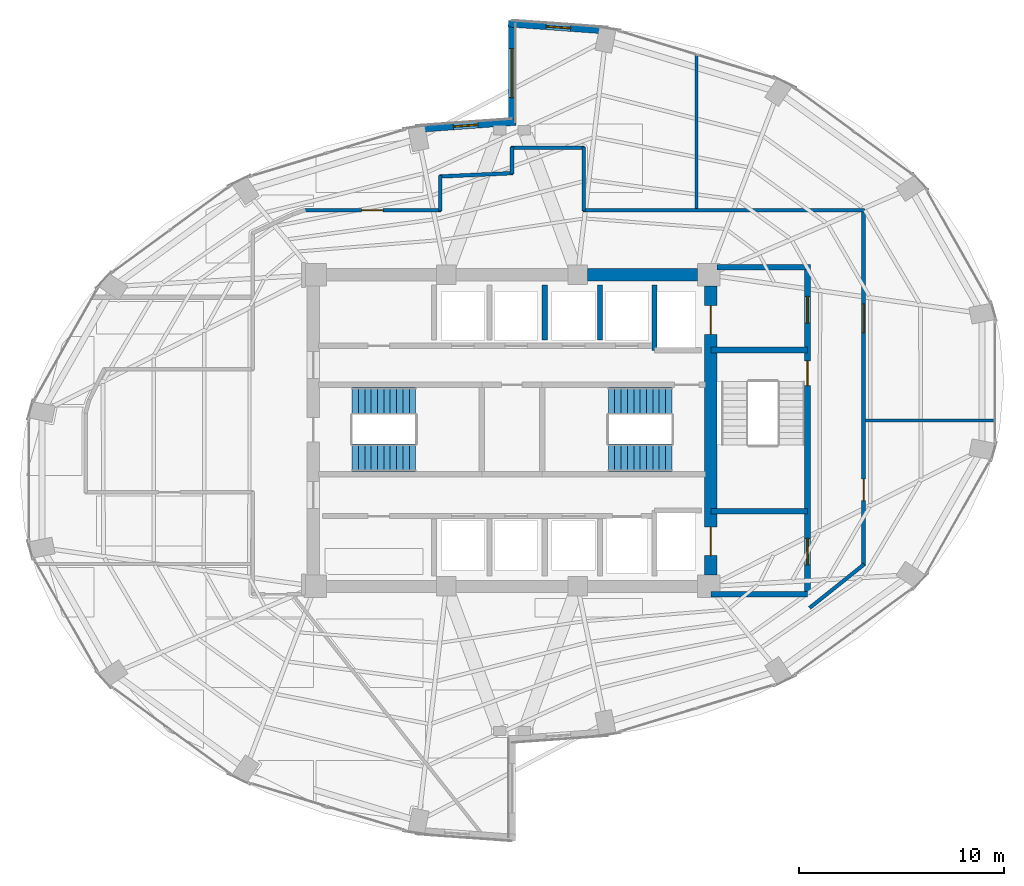
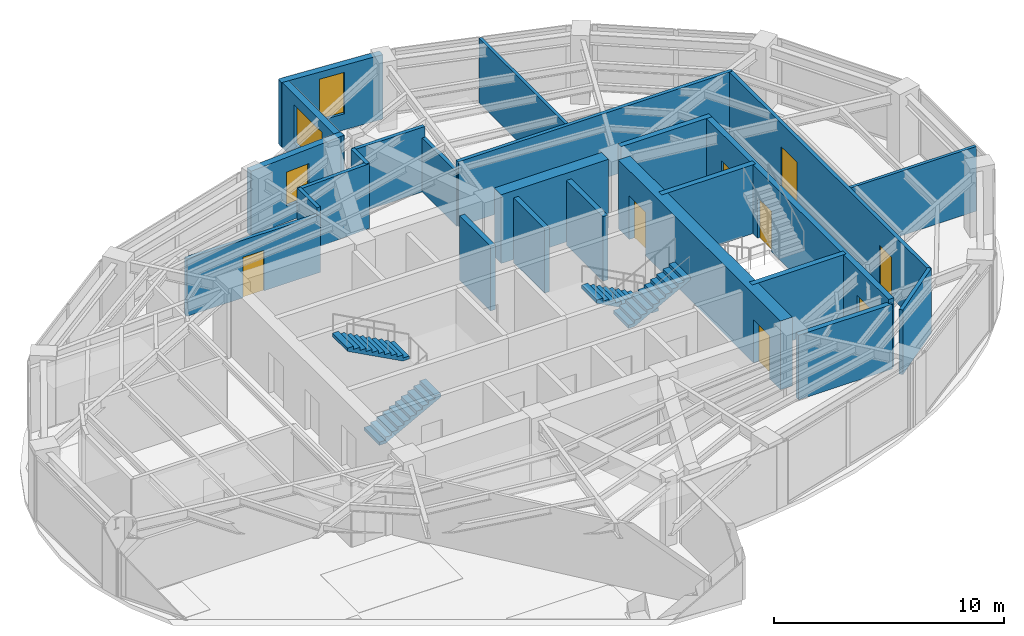
# One storey, part 17 of 20: 24 walls, 8 doors, 4 stair flights, 3 windows, 11 openings, 2 elements without a shape of their own.
"""IFC4 building model written with IfcOpenShell, lengths in metres."""

from ifc_helpers import new_model, si_unit, direction, frame, frame_2d, origin, place, context, subcontext, project, spatial, polyline, rectangle, outline, extrude, material, layer, layer_set, type_object, element, fill, aggregate, save


model = new_model("IFC4")

# Units and contexts
model_context = context("Model", 3, precision=1e-05, world=origin(), true_north=direction((0.0, 1.0)))
body_context = subcontext(model_context, "Body", "Model", "MODEL_VIEW")
ifc_project = project(units=[si_unit("LENGTHUNIT", "METRE"), si_unit("AREAUNIT", "SQUARE_METRE"), si_unit("VOLUMEUNIT", "CUBIC_METRE"), si_unit("PLANEANGLEUNIT", "RADIAN"), si_unit("MASSUNIT", "GRAM", prefix="KILO")], contexts=[model_context])

# Site, building, storey
site_placement = place(None, origin())
site = spatial("IfcSite", under=ifc_project, at=site_placement, CompositionType="ELEMENT")
building_placement = place(site_placement, origin())
building = spatial("IfcBuilding", under=site, at=building_placement, Name="Lazwardi Medical Tower", CompositionType="ELEMENT")
storey_placement = place(building_placement, frame((0.0, 0.0, 149.23193359375)))
storey = spatial("IfcBuildingStorey", under=building, at=storey_placement, Name="L38", CompositionType="ELEMENT", Elevation=149.23193359375)

# Wall, opening, door
ifc_material_1 = material(Name="Fire-rated gypsum board on steel stud", Category="steel")
ifc_layer_1 = layer(ifc_material_1, 0.179931640625)
ifc_layer_set_1 = layer_set([ifc_layer_1], Name="Fire-rated gypsum board on steel stud")
wall_type_1 = type_object("IfcWallType", Name="WL-COR-180", PredefinedType="PARTITIONING", material=ifc_layer_set_1)
wall_1_placement = place(storey_placement, frame((25.842529296875, 38.75, 0.0), z_axis=(0.0, 0.0, 1.0), x_axis=(1.0, 0.0, 0.0)))
wall_1 = element("IfcWall", 1, at=wall_1_placement, inside=storey, type_object=wall_type_1, Name="L38 Corridor partition 6", PredefinedType="PARTITIONING", context=body_context, shape_type="SweptSolid", body=[
    extrude(rectangle(XDim=6.697509765625, YDim=0.179931640625, at=frame_2d((3.3486328125, 0.0))), origin(), (0.0, 0.0, 1.0), 3.052978515625),
])
opening_1_placement = place(wall_1_placement, frame((2.82373046875, 0.0, 0.0)))
opening_1 = element("IfcOpeningElement", 2, at=opening_1_placement, cuts=wall_1, Name="Opening D-L38-012", PredefinedType="OPENING", context=body_context, shape_type="SweptSolid", body=[
    extrude(rectangle(XDim=1.050048828125, YDim=2.14990234375, at=frame_2d((0.52490234375, 1.074951171875))), frame((0.0, 0.099853515625, 0.0), z_axis=(0.0, -1.0, 0.0), x_axis=(1.0, 0.0, 0.0)), (0.0, 0.0, 1.0), 0.199951171875),
])
ifc_material_2 = material(Name="Anti-microbial laminate hospital leaf")
door_type_1 = type_object("IfcDoorType", Name="DR-CLN-1050", OperationType="NOTDEFINED", PredefinedType="DOOR", material=ifc_material_2)
door_1_placement = place(opening_1_placement, origin())
door_1 = element("IfcDoor", 3, at=door_1_placement, inside=storey, type_object=door_type_1, Name="L38 Outpatient Clinic Door 05", OperationType="SINGLE_SWING_RIGHT", OverallHeight=2.14990234375, OverallWidth=1.050048828125, PredefinedType="DOOR", context=body_context, shape_type="SweptSolid", body=[
    extrude(rectangle(XDim=1.050048828125, YDim=2.14990234375, at=frame_2d((0.52490234375, 1.074951171875))), frame((0.0, 0.02490234375, 0.0), z_axis=(0.0, -1.0, 0.0), x_axis=(1.0, 0.0, 0.0)), (0.0, 0.0, 1.0), 0.050048828125),
])
fill(opening_1, door_1)

# Walls
wall_2_placement = place(storey_placement, frame((32.5, 38.7099609375, 0.0), z_axis=(0.0, 0.0, 1.0), x_axis=(0.0, 1.0, 0.0)))
element("IfcWall", 4, at=wall_2_placement, inside=storey, type_object=wall_type_1, Name="L38 Corridor partition 7", PredefinedType="PARTITIONING", context=body_context, shape_type="SweptSolid", body=[
    extrude(rectangle(XDim=1.729248046875, YDim=0.179931640625, at=frame_2d((0.86474609375, 0.0))), origin(), (0.0, 0.0, 1.0), 3.427978515625),
])
wall_3_placement = place(storey_placement, frame((32.4599609375, 40.3974609375, 0.0), z_axis=(0.0, 0.0, 1.0), x_axis=(0.998948498694, 0.045846449783, 0.0)))
element("IfcWall", 5, at=wall_3_placement, inside=storey, type_object=wall_type_1, Name="L38 Corridor partition 8", PredefinedType="PARTITIONING", context=body_context, shape_type="SweptSolid", body=[
    extrude(rectangle(XDim=3.583740234375, YDim=0.179931640625, at=frame_2d((1.7919921875, 0.0))), origin(), (0.0, 0.0, 1.0), 3.427978515625),
])
wall_4_placement = place(storey_placement, frame((36.0, 40.52001953125, 0.0), z_axis=(0.0, 0.0, 1.0), x_axis=(0.0, 1.0, 0.0)))
element("IfcWall", 6, at=wall_4_placement, inside=storey, type_object=wall_type_1, Name="L38 Corridor partition 9", PredefinedType="PARTITIONING", context=body_context, shape_type="SweptSolid", body=[
    extrude(rectangle(XDim=1.320068359375, YDim=0.179931640625, at=frame_2d((0.66015625, 0.0))), origin(), (0.0, 0.0, 1.0), 3.427978515625),
])
wall_5_placement = place(storey_placement, frame((35.9599609375, 41.800048828125, 0.0), z_axis=(0.0, 0.0, 1.0), x_axis=(1.0, 0.0, 0.0)))
element("IfcWall", 7, at=wall_5_placement, inside=storey, type_object=wall_type_1, Name="L38 Corridor partition 10", PredefinedType="PARTITIONING", context=body_context, shape_type="SweptSolid", body=[
    extrude(rectangle(XDim=3.580078125, YDim=0.179931640625, at=frame_2d((1.7900390625, 0.0))), origin(), (0.0, 0.0, 1.0), 3.427978515625),
])
wall_6_placement = place(storey_placement, frame((39.5, 41.840087890625, 0.0), z_axis=(0.0, 0.0, 1.0), x_axis=(0.0, -1.0, 0.0)))
element("IfcWall", 8, at=wall_6_placement, inside=storey, type_object=wall_type_1, Name="L38 Corridor partition 11", PredefinedType="PARTITIONING", context=body_context, shape_type="SweptSolid", body=[
    extrude(rectangle(XDim=3.130126953125, YDim=0.179931640625, at=frame_2d((1.56494140625, 0.0))), origin(), (0.0, 0.0, 1.0), 2.863037109375),
])
wall_7_placement = place(storey_placement, frame((39.4599609375, 38.75, 0.0), z_axis=(0.0, 0.0, 1.0), x_axis=(1.0, 0.0, 0.0)))
element("IfcWall", 9, at=wall_7_placement, inside=storey, type_object=wall_type_1, Name="L38 Corridor partition 12", PredefinedType="PARTITIONING", context=body_context, shape_type="SweptSolid", body=[
    extrude(rectangle(XDim=13.72998046875, YDim=0.179931640625, at=frame_2d((6.864990234375, 0.0))), origin(), (0.0, 0.0, 1.0), 3.427978515625),
])

# Wall, openings, doors
wall_8_placement = place(storey_placement, frame((53.14990234375, 38.7900390625, 0.0), z_axis=(0.0, 0.0, 1.0), x_axis=(0.0, -1.0, 0.0)))
wall_8 = element("IfcWall", 10, at=wall_8_placement, inside=storey, type_object=wall_type_1, Name="L38 Corridor partition 13", PredefinedType="PARTITIONING", context=body_context, shape_type="SweptSolid", body=[
    extrude(rectangle(XDim=17.374267578125, YDim=0.179931640625, at=frame_2d((8.68701171875, 0.0))), origin(), (0.0, 0.0, 1.0), 3.427978515625),
])
opening_2_placement = place(wall_8_placement, frame((13.148193359375, 0.0, 0.0)))
opening_2 = element("IfcOpeningElement", 11, at=opening_2_placement, cuts=wall_8, Name="Opening D-L38-010", PredefinedType="OPENING", context=body_context, shape_type="SweptSolid", body=[
    extrude(rectangle(XDim=1.050048828125, YDim=2.14990234375, at=frame_2d((0.52490234375, 1.074951171875))), frame((0.0, 0.099853515625, 0.0), z_axis=(0.0, -1.0, 0.0), x_axis=(1.0, 0.0, 0.0)), (0.0, 0.0, 1.0), 0.199951171875),
])
opening_3_placement = place(wall_8_placement, frame((4.60400390625, 0.0, 0.0)))
opening_3 = element("IfcOpeningElement", 12, at=opening_3_placement, cuts=wall_8, Name="Opening D-L38-011", PredefinedType="OPENING", context=body_context, shape_type="SweptSolid", body=[
    extrude(rectangle(XDim=1.39990234375, YDim=2.199951171875, at=frame_2d((0.699951171875, 1.10009765625))), frame((0.0, 0.099853515625, 0.0), z_axis=(0.0, -1.0, 0.0), x_axis=(1.0, 0.0, 0.0)), (0.0, 0.0, 1.0), 0.199951171875),
])
door_type_2 = type_object("IfcDoorType", Name="DR-BED-1400", OperationType="NOTDEFINED", PredefinedType="DOOR", material=ifc_material_2)
door_2_placement = place(opening_3_placement, origin())
door_2 = element("IfcDoor", 13, at=door_2_placement, inside=storey, type_object=door_type_2, Name="L38 Inpatient Ward Door 04", OperationType="SINGLE_SWING_LEFT", OverallHeight=2.199951171875, OverallWidth=1.39990234375, PredefinedType="DOOR", context=body_context, shape_type="SweptSolid", body=[
    extrude(rectangle(XDim=1.39990234375, YDim=2.199951171875, at=frame_2d((0.699951171875, 1.10009765625))), frame((0.0, 0.02490234375, 0.0), z_axis=(0.0, -1.0, 0.0), x_axis=(1.0, 0.0, 0.0)), (0.0, 0.0, 1.0), 0.050048828125),
])
fill(opening_3, door_2)
door_3_placement = place(opening_2_placement, origin())
door_3 = element("IfcDoor", 14, at=door_3_placement, inside=storey, type_object=door_type_1, Name="L38 Clinical Specialist Office Door 03", OperationType="SINGLE_SWING_RIGHT", OverallHeight=2.14990234375, OverallWidth=1.050048828125, PredefinedType="DOOR", context=body_context, shape_type="SweptSolid", body=[
    extrude(rectangle(XDim=1.050048828125, YDim=2.14990234375, at=frame_2d((0.52490234375, 1.074951171875))), frame((0.0, 0.02490234375, 0.0), z_axis=(0.0, -1.0, 0.0), x_axis=(1.0, 0.0, 0.0)), (0.0, 0.0, 1.0), 0.050048828125),
])
fill(opening_2, door_3)

# Wall
wall_9_placement = place(storey_placement, frame((53.181396484375, 21.480712890625, 0.0), z_axis=(0.0, 0.0, 1.0), x_axis=(-0.781420737726, -0.624004511724, 0.0)))
element("IfcWall", 15, at=wall_9_placement, inside=storey, type_object=wall_type_1, Name="L38 Corridor partition 14", PredefinedType="PARTITIONING", context=body_context, shape_type="SweptSolid", body=[
    extrude(rectangle(XDim=3.407470703125, YDim=0.179931640625, at=frame_2d((1.70361328125, 0.0))), origin(), (0.0, 0.0, 1.0), 3.427978515625),
])

# Wall, openings, doors
ifc_material_3 = material(Name="Concrete C60/75", Category="concrete")
ifc_layer_2 = layer(ifc_material_3, 0.60009765625)
ifc_layer_set_2 = layer_set([ifc_layer_2], Name="Concrete C60/75")
wall_type_2 = type_object("IfcWallType", Name="WL-CORE-600", PredefinedType="SHEAR", material=ifc_layer_set_2)
wall_10_placement = place(storey_placement, frame((45.699951171875, 20.949951171875, 0.0), z_axis=(0.0, 0.0, 1.0), x_axis=(0.0, 1.0, 0.0)))
wall_10 = element("IfcWall", 16, at=wall_10_placement, inside=storey, type_object=wall_type_2, Name="Core wall CW-S3 east L38", PredefinedType="SHEAR", context=body_context, shape_type="SweptSolid", body=[
    extrude(rectangle(XDim=14.10009765625, YDim=0.60009765625, at=frame_2d((7.050048828125, 0.0))), origin(), (0.0, 0.0, 1.0), 3.64794921875),
])
opening_4_placement = place(wall_10_placement, frame((11.75, 0.0, 0.0)))
opening_4 = element("IfcOpeningElement", 17, at=opening_4_placement, cuts=wall_10, Name="Opening LD-L38-001", PredefinedType="OPENING", context=body_context, shape_type="SweptSolid", body=[
    extrude(rectangle(XDim=1.39990234375, YDim=2.300048828125, at=frame_2d((0.699951171875, 1.14990234375))), frame((0.0, 0.31005859375, 0.0), z_axis=(0.0, -1.0, 0.0), x_axis=(1.0, 0.0, 0.0)), (0.0, 0.0, 1.0), 0.6201171875),
])
opening_5_placement = place(wall_10_placement, frame((0.949951171875, 0.0, 0.0)))
opening_5 = element("IfcOpeningElement", 18, at=opening_5_placement, cuts=wall_10, Name="Opening LD-L38-002", PredefinedType="OPENING", context=body_context, shape_type="SweptSolid", body=[
    extrude(rectangle(XDim=1.39990234375, YDim=2.300048828125, at=frame_2d((0.699951171875, 1.14990234375))), frame((0.0, 0.31005859375, 0.0), z_axis=(0.0, -1.0, 0.0), x_axis=(1.0, 0.0, 0.0)), (0.0, 0.0, 1.0), 0.6201171875),
])
ifc_material_4 = material(Name="Brushed stainless steel bed-lift landing door", Category="steel")
door_type_3 = type_object("IfcDoorType", Name="DR-LFT-1400", OperationType="NOTDEFINED", PredefinedType="DOOR", material=ifc_material_4)
door_4_placement = place(opening_4_placement, origin())
door_4 = element("IfcDoor", 19, at=door_4_placement, inside=storey, type_object=door_type_3, Name="L38 Lift Landing Door FL-01", OperationType="SLIDING_TO_LEFT", OverallHeight=2.300048828125, OverallWidth=1.39990234375, PredefinedType="DOOR", context=body_context, shape_type="SweptSolid", body=[
    extrude(rectangle(XDim=1.39990234375, YDim=2.300048828125, at=frame_2d((0.699951171875, 1.14990234375))), frame((0.0, 0.02490234375, 0.0), z_axis=(0.0, -1.0, 0.0), x_axis=(1.0, 0.0, 0.0)), (0.0, 0.0, 1.0), 0.050048828125),
])
fill(opening_4, door_4)
door_5_placement = place(opening_5_placement, origin())
door_5 = element("IfcDoor", 20, at=door_5_placement, inside=storey, type_object=door_type_3, Name="L38 Lift Landing Door FL-02", OperationType="SLIDING_TO_LEFT", OverallHeight=2.300048828125, OverallWidth=1.39990234375, PredefinedType="DOOR", context=body_context, shape_type="SweptSolid", body=[
    extrude(rectangle(XDim=1.39990234375, YDim=2.300048828125, at=frame_2d((0.699951171875, 1.14990234375))), frame((0.0, 0.02490234375, 0.0), z_axis=(0.0, -1.0, 0.0), x_axis=(1.0, 0.0, 0.0)), (0.0, 0.0, 1.0), 0.050048828125),
])
fill(opening_5, door_5)

# Wall
wall_11_placement = place(storey_placement, frame((39.675048828125, 35.60009765625, 0.0), z_axis=(0.0, 0.0, 1.0), x_axis=(1.0, 0.0, 0.0)))
element("IfcWall", 21, at=wall_11_placement, inside=storey, type_object=wall_type_2, Name="Core wall CW-S3 N3 L38", PredefinedType="SHEAR", context=body_context, shape_type="SweptSolid", body=[
    extrude(rectangle(XDim=5.375, YDim=0.60009765625, at=frame_2d((2.6875, 0.0))), origin(), (0.0, 0.0, 1.0), 3.64794921875),
])

# Wall, opening, window
ifc_material_5 = material(Name="Precast concrete C45/55", Category="concrete")
ifc_layer_3 = layer(ifc_material_5, 0.320068359375)
ifc_layer_set_3 = layer_set([ifc_layer_3], Name="Precast concrete C45/55")
wall_type_3 = type_object("IfcWallType", Name="WL-IWAN-320", PredefinedType="SOLIDWALL", material=ifc_layer_set_3)
wall_12_placement = place(storey_placement, frame((40.700927734375, 47.501220703125, 0.0), z_axis=(0.0, 0.0, 1.0), x_axis=(-0.997415460462, 0.071849838072, 0.0)))
wall_12 = element("IfcWall", 22, at=wall_12_placement, inside=storey, type_object=wall_type_3, Name="L38 Iwan Portal Return Wall NE_ret", PredefinedType="SOLIDWALL", context=body_context, shape_type="SweptSolid", body=[
    extrude(rectangle(XDim=4.89306640625, YDim=0.320068359375, at=frame_2d((2.446533203125, 0.0))), origin(), (0.0, 0.0, 1.0), 3.427978515625),
])
opening_6_placement = place(wall_12_placement, frame((1.846435546875, 0.0, 0.85009765625)))
opening_6 = element("IfcOpeningElement", 23, at=opening_6_placement, cuts=wall_12, Name="Opening WN-01", PredefinedType="OPENING", context=body_context, shape_type="SweptSolid", body=[
    extrude(rectangle(XDim=1.199951171875, YDim=2.199951171875, at=frame_2d((0.60009765625, 1.10009765625))), frame((0.0, 0.169921875, 0.0), z_axis=(0.0, -1.0, 0.0), x_axis=(1.0, 0.0, 0.0)), (0.0, 0.0, 1.0), 0.340087890625),
])
ifc_material_6 = material(Name="Low-e bronze solar control double glazing", Category="glass")
window_type_1 = type_object("IfcWindowType", Name="WIN-IW-1200", PartitioningType="SINGLE_PANEL", PredefinedType="WINDOW", material=ifc_material_6)
window_1_placement = place(opening_6_placement, origin())
window_1 = element("IfcWindow", 24, at=window_1_placement, inside=storey, type_object=window_type_1, Name="L38 Iwan Slot Window NE_ret", OverallHeight=2.199951171875, OverallWidth=1.199951171875, PartitioningType="SINGLE_PANEL", PredefinedType="WINDOW", context=body_context, shape_type="SweptSolid", body=[
    extrude(rectangle(XDim=1.199951171875, YDim=2.199951171875, at=frame_2d((0.60009765625, 1.10009765625))), frame((0.0, 0.030029296875, 0.0), z_axis=(0.0, -1.0, 0.0), x_axis=(1.0, 0.0, 0.0)), (0.0, 0.0, 1.0), 0.06005859375),
])
fill(opening_6, window_1)

wall_13_placement = place(storey_placement, frame((36.17919921875, 43.052978515625, 0.0), z_axis=(0.0, 0.0, 1.0), x_axis=(-0.997415202861, -0.071853413984, 0.0)))
wall_13 = element("IfcWall", 25, at=wall_13_placement, inside=storey, type_object=wall_type_3, Name="L38 Iwan Portal Return Wall NW_ret", PredefinedType="SOLIDWALL", context=body_context, shape_type="SweptSolid", body=[
    extrude(rectangle(XDim=4.892822265625, YDim=0.320068359375, at=frame_2d((2.4462890625, 0.0))), origin(), (0.0, 0.0, 1.0), 3.427978515625),
])
opening_7_placement = place(wall_13_placement, frame((1.84619140625, 0.0, 0.85009765625)))
opening_7 = element("IfcOpeningElement", 26, at=opening_7_placement, cuts=wall_13, Name="Opening WN-04", PredefinedType="OPENING", context=body_context, shape_type="SweptSolid", body=[
    extrude(rectangle(XDim=1.199951171875, YDim=1.800048828125, at=frame_2d((0.60009765625, 0.89990234375))), frame((0.0, 0.169921875, 0.0), z_axis=(0.0, -1.0, 0.0), x_axis=(1.0, 0.0, 0.0)), (0.0, 0.0, 1.0), 0.340087890625),
])
window_type_2 = type_object("IfcWindowType", Name="WIN-DRUM-1200", PartitioningType="SINGLE_PANEL", PredefinedType="WINDOW", material=ifc_material_6)
window_2_placement = place(opening_7_placement, origin())
window_2 = element("IfcWindow", 27, at=window_2_placement, inside=storey, type_object=window_type_2, Name="L38 Iwan Slot Window NW_ret", OverallHeight=1.800048828125, OverallWidth=1.199951171875, PartitioningType="SINGLE_PANEL", PredefinedType="WINDOW", context=body_context, shape_type="SweptSolid", body=[
    extrude(rectangle(XDim=1.199951171875, YDim=1.800048828125, at=frame_2d((0.60009765625, 0.89990234375))), frame((0.0, 0.030029296875, 0.0), z_axis=(0.0, -1.0, 0.0), x_axis=(1.0, 0.0, 0.0)), (0.0, 0.0, 1.0), 0.06005859375),
])
fill(opening_7, window_2)

wall_14_placement = place(storey_placement, frame((36.0, 48.0, 0.0), z_axis=(0.0, 0.0, 1.0), x_axis=(0.0, -1.0, 0.0)))
wall_14 = element("IfcWall", 28, at=wall_14_placement, inside=storey, type_object=wall_type_3, Name="L38 Turquoise Tilework Iwan Seam Wall N_seam", PredefinedType="SOLIDWALL", context=body_context, shape_type="SweptSolid", body=[
    extrude(rectangle(XDim=5.1201171875, YDim=0.320068359375, at=frame_2d((2.56005859375, 0.0))), origin(), (0.0, 0.0, 1.0), 3.427978515625),
])
opening_8_placement = place(wall_14_placement, frame((1.360107421875, 0.0, 0.840087890625)))
opening_8 = element("IfcOpeningElement", 29, at=opening_8_placement, cuts=wall_14, Name="Opening WN-02", PredefinedType="OPENING", context=body_context, shape_type="SweptSolid", body=[
    extrude(rectangle(XDim=2.39990234375, YDim=2.0400390625, at=frame_2d((1.199951171875, 1.02001953125))), frame((0.0, 0.169921875, 0.0), z_axis=(0.0, -1.0, 0.0), x_axis=(1.0, 0.0, 0.0)), (0.0, 0.0, 1.0), 0.340087890625),
])
window_type_3 = type_object("IfcWindowType", Name="WIN-IW-2400", PartitioningType="SINGLE_PANEL", PredefinedType="WINDOW", material=ifc_material_6)
window_3_placement = place(opening_8_placement, origin())
window_3 = element("IfcWindow", 30, at=window_3_placement, inside=storey, type_object=window_type_3, Name="L38 Iwan Seam Window N_seam", OverallHeight=2.0400390625, OverallWidth=2.39990234375, PartitioningType="SINGLE_PANEL", PredefinedType="WINDOW", context=body_context, shape_type="SweptSolid", body=[
    extrude(rectangle(XDim=2.39990234375, YDim=2.0400390625, at=frame_2d((1.199951171875, 1.02001953125))), frame((0.0, 0.030029296875, 0.0), z_axis=(0.0, -1.0, 0.0), x_axis=(1.0, 0.0, 0.0)), (0.0, 0.0, 1.0), 0.06005859375),
])
fill(opening_8, window_3)

# Walls
ifc_material_7 = material(Name="Autoclaved aerated concrete blockwork", Category="masonry")
ifc_layer_4 = layer(ifc_material_7, 0.25)
ifc_layer_set_4 = layer_set([ifc_layer_4], Name="Autoclaved aerated concrete blockwork")
wall_type_4 = type_object("IfcWallType", Name="WL-SHAFT-250", PredefinedType="SOLIDWALL", material=ifc_layer_set_4)
wall_15_placement = place(storey_placement, frame((42.949951171875, 31.919921875, 0.0), z_axis=(0.0, 0.0, 1.0), x_axis=(0.0, 1.0, 0.0)))
element("IfcWall", 31, at=wall_15_placement, inside=storey, type_object=wall_type_4, Name="L38 FL-01 West shaft wall", PredefinedType="SOLIDWALL", context=body_context, shape_type="SweptSolid", body=[
    extrude(rectangle(XDim=3.18017578125, YDim=0.25, at=frame_2d((1.590087890625, 0.0))), origin(), (0.0, 0.0, 1.0), 3.427978515625),
])
for number, where, z_axis, x_axis, name in (
    (32, (37.60009765625, 32.419921875, 0.0), (0.0, 0.0, 1.0), (0.0, 1.0, 0.0), "L38 North hoistway divider"),
    (33, (40.300048828125, 32.419921875, 0.0), (0.0, 0.0, 1.0), (0.0, 1.0, 0.0), "L38 North hoistway divider"),
):
    element("IfcWall", number, at=place(storey_placement, frame(where, z_axis=z_axis, x_axis=x_axis)), inside=storey, type_object=wall_type_4, Name=name, PredefinedType="SOLIDWALL", context=body_context, shape_type="SweptSolid", body=[
        extrude(rectangle(XDim=2.68017578125, YDim=0.25, at=frame_2d((1.340087890625, 0.0))), origin(), (0.0, 0.0, 1.0), 3.427978515625),
    ])
wall_16_placement = place(storey_placement, frame((45.699951171875, 20.02001953125, 0.0), z_axis=(0.0, 0.0, 1.0), x_axis=(1.0, 0.0, 0.0)))
element("IfcWall", 34, at=wall_16_placement, inside=storey, type_object=wall_type_4, Name="L38 FFL-S South wall", PredefinedType="SOLIDWALL", context=body_context, shape_type="SweptSolid", body=[
    extrude(rectangle(XDim=4.715087890625, YDim=0.25, at=frame_2d((2.357421875, 0.0))), origin(), (0.0, 0.0, 1.0), 3.427978515625),
])

# Wall, openings, doors
ifc_material_8 = material(Name="Concrete C50/60", Category="concrete")
ifc_layer_5 = layer(ifc_material_8, 0.27001953125)
ifc_layer_set_5 = layer_set([ifc_layer_5], Name="Concrete C50/60")
wall_type_5 = type_object("IfcWallType", Name="WL-STR-250", PredefinedType="SHEAR", material=ifc_layer_set_5)
wall_17_placement = place(storey_placement, frame((50.4150390625, 35.844970703125, 0.0), z_axis=(0.0, 0.0, 1.0), x_axis=(0.0, -1.0, 0.0)))
wall_17 = element("IfcWall", 35, at=wall_17_placement, inside=storey, type_object=wall_type_5, Name="L38 East ST3 & FFL shear wall SW-S1", PredefinedType="SHEAR", context=body_context, shape_type="SweptSolid", body=[
    extrude(rectangle(XDim=15.824951171875, YDim=0.27001953125, at=frame_2d((7.91259765625, 0.0))), origin(), (0.0, 0.0, 1.0), 3.64794921875),
])
opening_9_placement = place(wall_17_placement, frame((4.445068359375, 0.0, 0.0)))
opening_9 = element("IfcOpeningElement", 36, at=opening_9_placement, cuts=wall_17, Name="Opening D-L38-015", PredefinedType="OPENING", context=body_context, shape_type="SweptSolid", body=[
    extrude(rectangle(XDim=1.199951171875, YDim=2.14990234375, at=frame_2d((0.60009765625, 1.074951171875))), frame((0.0, 0.14501953125, 0.0), z_axis=(0.0, -1.0, 0.0), x_axis=(1.0, 0.0, 0.0)), (0.0, 0.0, 1.0), 0.2900390625),
])
opening_10_placement = place(wall_17_placement, frame((1.294921875, 0.0, 0.0)))
opening_10 = element("IfcOpeningElement", 37, at=opening_10_placement, cuts=wall_17, Name="Opening D-L38-004", PredefinedType="OPENING", context=body_context, shape_type="SweptSolid", body=[
    extrude(rectangle(XDim=1.300048828125, YDim=2.199951171875, at=frame_2d((0.64990234375, 1.10009765625))), frame((0.0, 0.14501953125, 0.0), z_axis=(0.0, -1.0, 0.0), x_axis=(1.0, 0.0, 0.0)), (0.0, 0.0, 1.0), 0.2900390625),
])
opening_11_placement = place(wall_17_placement, frame((13.094970703125, 0.0, 0.0)))
opening_11 = element("IfcOpeningElement", 38, at=opening_11_placement, cuts=wall_17, Name="Opening D-L38-005", PredefinedType="OPENING", context=body_context, shape_type="SweptSolid", body=[
    extrude(rectangle(XDim=1.300048828125, YDim=2.199951171875, at=frame_2d((0.64990234375, 1.10009765625))), frame((0.0, 0.14501953125, 0.0), z_axis=(0.0, -1.0, 0.0), x_axis=(1.0, 0.0, 0.0)), (0.0, 0.0, 1.0), 0.2900390625),
])
ifc_material_9 = material(Name="Fire-rated steel leaf and frame", Category="steel")
door_type_4 = type_object("IfcDoorType", Name="DR-FFL-1300", OperationType="NOTDEFINED", PredefinedType="DOOR", material=ifc_material_9)
door_6_placement = place(opening_10_placement, origin())
door_6 = element("IfcDoor", 39, at=door_6_placement, inside=storey, type_object=door_type_4, Name="L38 Fire-Fighting Lobby North Door", OperationType="SINGLE_SWING_RIGHT", OverallHeight=2.199951171875, OverallWidth=1.300048828125, PredefinedType="DOOR", context=body_context, shape_type="SweptSolid", body=[
    extrude(rectangle(XDim=1.300048828125, YDim=2.199951171875, at=frame_2d((0.64990234375, 1.10009765625))), frame((0.0, 0.02490234375, 0.0), z_axis=(0.0, -1.0, 0.0), x_axis=(1.0, 0.0, 0.0)), (0.0, 0.0, 1.0), 0.050048828125),
])
fill(opening_10, door_6)
door_7_placement = place(opening_11_placement, origin())
door_7 = element("IfcDoor", 40, at=door_7_placement, inside=storey, type_object=door_type_4, Name="L38 Fire-Fighting Lobby South Door", OperationType="SINGLE_SWING_LEFT", OverallHeight=2.199951171875, OverallWidth=1.300048828125, PredefinedType="DOOR", context=body_context, shape_type="SweptSolid", body=[
    extrude(rectangle(XDim=1.300048828125, YDim=2.199951171875, at=frame_2d((0.64990234375, 1.10009765625))), frame((0.0, 0.02490234375, 0.0), z_axis=(0.0, -1.0, 0.0), x_axis=(1.0, 0.0, 0.0)), (0.0, 0.0, 1.0), 0.050048828125),
])
fill(opening_11, door_7)
door_type_5 = type_object("IfcDoorType", Name="DR-STR-1200", OperationType="NOTDEFINED", PredefinedType="DOOR", material=ifc_material_9)
door_8_placement = place(opening_9_placement, origin())
door_8 = element("IfcDoor", 41, at=door_8_placement, inside=storey, type_object=door_type_5, Name="L38 Exit Stair ST3 Door", OperationType="SINGLE_SWING_LEFT", OverallHeight=2.14990234375, OverallWidth=1.199951171875, PredefinedType="DOOR", context=body_context, shape_type="SweptSolid", body=[
    extrude(rectangle(XDim=1.199951171875, YDim=2.14990234375, at=frame_2d((0.60009765625, 1.074951171875))), frame((0.0, 0.02490234375, 0.0), z_axis=(0.0, -1.0, 0.0), x_axis=(1.0, 0.0, 0.0)), (0.0, 0.0, 1.0), 0.050048828125),
])
fill(opening_9, door_8)

# Walls
wall_18_placement = place(storey_placement, frame((46.0, 35.97998046875, 0.0), z_axis=(0.0, 0.0, 1.0), x_axis=(1.0, 0.0, 0.0)))
element("IfcWall", 42, at=wall_18_placement, inside=storey, type_object=wall_type_5, Name="L38 FFL-N North shear wall SW-S1", PredefinedType="SHEAR", context=body_context, shape_type="SweptSolid", body=[
    extrude(rectangle(XDim=4.550048828125, YDim=0.27001953125, at=frame_2d((2.27490234375, 0.0))), origin(), (0.0, 0.0, 1.0), 3.64794921875),
])
for number, where, z_axis, x_axis, name in (
    (43, (45.699951171875, 31.93505859375, 0.0), (0.0, 0.0, 1.0), (1.0, 0.0, 0.0), "L38 ST3 North shear shaft wall SW-S1"),
    (44, (45.699951171875, 24.06494140625, 0.0), (0.0, 0.0, 1.0), (1.0, 0.0, 0.0), "L38 ST3 South shear shaft wall SW-S1"),
):
    element("IfcWall", number, at=place(storey_placement, frame(where, z_axis=z_axis, x_axis=x_axis)), inside=storey, type_object=wall_type_5, Name=name, PredefinedType="SHEAR", context=body_context, shape_type="SweptSolid", body=[
        extrude(rectangle(XDim=4.715087890625, YDim=0.27001953125, at=frame_2d((2.357421875, 0.0))), origin(), (0.0, 0.0, 1.0), 3.64794921875),
    ])
ifc_material_10 = material(Name="Acoustic gypsum board partition")
ifc_layer_6 = layer(ifc_material_10, 0.14990234375)
ifc_layer_set_6 = layer_set([ifc_layer_6], Name="Acoustic gypsum board partition")
wall_type_6 = type_object("IfcWallType", Name="WL-WRD-150", PredefinedType="PARTITIONING", material=ifc_layer_set_6)
wall_19_placement = place(storey_placement, frame((53.239990234375, 28.5, 0.0), z_axis=(0.0, 0.0, 1.0), x_axis=(1.0, 0.0, 0.0)))
element("IfcWall", 45, at=wall_19_placement, inside=storey, type_object=wall_type_6, Name="L38 Room partition 3", PredefinedType="PARTITIONING", context=body_context, shape_type="SweptSolid", body=[
    extrude(rectangle(XDim=6.30712890625, YDim=0.14990234375, at=frame_2d((3.153564453125, 0.0))), origin(), (0.0, 0.0, 1.0), 3.427978515625),
])
wall_20_placement = place(storey_placement, frame((45.0, 38.840087890625, 0.0), z_axis=(0.0, 0.0, 1.0), x_axis=(0.0, 1.0, 0.0)))
element("IfcWall", 46, at=wall_20_placement, inside=storey, type_object=wall_type_6, Name="L38 Room partition 4", PredefinedType="PARTITIONING", context=body_context, shape_type="SweptSolid", body=[
    extrude(rectangle(XDim=7.487548828125, YDim=0.14990234375, at=frame_2d((3.74365234375, 0.0))), origin(), (0.0, 0.0, 1.0), 3.427978515625),
])

# Stair, stair flights
ifc_material_11 = material(Name="Concrete C45/55", Category="concrete")
stair_type = type_object("IfcStairType", Name="STR-WRD", PredefinedType="HALF_TURN_STAIR", material=ifc_material_11)
stair_1_placement = place(storey_placement, origin())
stair_1 = element("IfcStair", 47, at=stair_1_placement, inside=storey, type_object=stair_type, Name="L38 Protected Exit Stair ST1", PredefinedType="HALF_TURN_STAIR")
stair_flight_type = type_object("IfcStairFlightType", Name="FLT-WRD", PredefinedType="STRAIGHT", material=ifc_material_11)
stair_flight_1_placement = place(storey_placement, frame((28.199951171875, 26.679931640625, 0.0), z_axis=(0.0, 0.0, 1.0), x_axis=(1.0, 0.0, 0.0)))
stair_flight_1 = element("IfcStairFlight", 48, at=stair_flight_1_placement, type_object=stair_flight_type, Name="ST1 flight 1", NumberOfRisers=11, NumberOfTreads=10, PredefinedType="STRAIGHT", RiserHeight=0.165818182, TreadLength=0.31, context=body_context, shape_type="SweptSolid", body=[
    extrude(outline(polyline([(0.0, 0.0), (0.0, 0.165771484375), (0.31005859375, 0.165771484375), (0.31005859375, 0.33154296875), (0.6201171875, 0.33154296875), (0.6201171875, 0.49755859375), (0.929931640625, 0.49755859375), (0.929931640625, 0.663330078125), (1.239990234375, 0.663330078125), (1.239990234375, 0.8291015625), (1.550048828125, 0.8291015625), (1.550048828125, 0.994873046875), (1.860107421875, 0.994873046875), (1.860107421875, 1.16064453125), (2.169921875, 1.16064453125), (2.169921875, 1.32666015625), (2.47998046875, 1.32666015625), (2.47998046875, 1.492431640625), (2.7900390625, 1.492431640625), (2.7900390625, 1.658203125), (3.10009765625, 1.658203125), (3.10009765625, 1.823974609375), (3.10009765625, 1.48828125), (0.31787109375, 0.0), (0.0, 0.0)])), frame((0.0, 0.66015625, 0.0), z_axis=(0.0, -1.0, 0.0), x_axis=(1.0, 0.0, 0.0)), (0.0, 0.0, 1.0), 1.320068359375),
])
stair_flight_2_placement = place(storey_placement, frame((31.300048828125, 29.43994140625, 1.823974609375), z_axis=(0.0, 0.0, 1.0), x_axis=(-1.0, 0.0, 0.0)))
stair_flight_2 = element("IfcStairFlight", 49, at=stair_flight_2_placement, type_object=stair_flight_type, Name="ST1 flight 2", NumberOfRisers=11, NumberOfTreads=10, PredefinedType="STRAIGHT", RiserHeight=0.165818182, TreadLength=0.31, context=body_context, shape_type="SweptSolid", body=[
    extrude(outline(polyline([(0.0, 0.0), (0.0, 0.165771484375), (0.31005859375, 0.165771484375), (0.31005859375, 0.33154296875), (0.6201171875, 0.33154296875), (0.6201171875, 0.49755859375), (0.929931640625, 0.49755859375), (0.929931640625, 0.663330078125), (1.239990234375, 0.663330078125), (1.239990234375, 0.8291015625), (1.550048828125, 0.8291015625), (1.550048828125, 0.994873046875), (1.860107421875, 0.994873046875), (1.860107421875, 1.16064453125), (2.169921875, 1.16064453125), (2.169921875, 1.32666015625), (2.47998046875, 1.32666015625), (2.47998046875, 1.492431640625), (2.7900390625, 1.492431640625), (2.7900390625, 1.658203125), (3.10009765625, 1.658203125), (3.10009765625, 1.823974609375), (3.10009765625, 1.48828125), (0.31787109375, 0.0), (0.0, 0.0)])), frame((0.0, 0.66015625, 0.0), z_axis=(0.0, -1.0, 0.0), x_axis=(1.0, 0.0, 0.0)), (0.0, 0.0, 1.0), 1.320068359375),
])
aggregate(stair_1, [stair_flight_1, stair_flight_2])

stair_2_placement = place(storey_placement, origin())
stair_2 = element("IfcStair", 50, at=stair_2_placement, inside=storey, type_object=stair_type, Name="L38 Protected Exit Stair ST2", PredefinedType="HALF_TURN_STAIR")
stair_flight_3_placement = place(storey_placement, frame((43.800048828125, 29.43994140625, 0.0), z_axis=(0.0, 0.0, 1.0), x_axis=(-1.0, 0.0, 0.0)))
stair_flight_3 = element("IfcStairFlight", 51, at=stair_flight_3_placement, type_object=stair_flight_type, Name="ST2 flight 1", NumberOfRisers=11, NumberOfTreads=10, PredefinedType="STRAIGHT", RiserHeight=0.165818182, TreadLength=0.31, context=body_context, shape_type="SweptSolid", body=[
    extrude(outline(polyline([(0.0, 0.0), (0.0, 0.165771484375), (0.31005859375, 0.165771484375), (0.31005859375, 0.33154296875), (0.6201171875, 0.33154296875), (0.6201171875, 0.49755859375), (0.929931640625, 0.49755859375), (0.929931640625, 0.663330078125), (1.239990234375, 0.663330078125), (1.239990234375, 0.8291015625), (1.550048828125, 0.8291015625), (1.550048828125, 0.994873046875), (1.860107421875, 0.994873046875), (1.860107421875, 1.16064453125), (2.169921875, 1.16064453125), (2.169921875, 1.32666015625), (2.47998046875, 1.32666015625), (2.47998046875, 1.492431640625), (2.7900390625, 1.492431640625), (2.7900390625, 1.658203125), (3.10009765625, 1.658203125), (3.10009765625, 1.823974609375), (3.10009765625, 1.48828125), (0.31787109375, 0.0), (0.0, 0.0)])), frame((0.0, 0.66015625, 0.0), z_axis=(0.0, -1.0, 0.0), x_axis=(1.0, 0.0, 0.0)), (0.0, 0.0, 1.0), 1.320068359375),
])
stair_flight_4_placement = place(storey_placement, frame((40.699951171875, 26.679931640625, 1.823974609375), z_axis=(0.0, 0.0, 1.0), x_axis=(1.0, 0.0, 0.0)))
stair_flight_4 = element("IfcStairFlight", 52, at=stair_flight_4_placement, type_object=stair_flight_type, Name="ST2 flight 2", NumberOfRisers=11, NumberOfTreads=10, PredefinedType="STRAIGHT", RiserHeight=0.165818182, TreadLength=0.31, context=body_context, shape_type="SweptSolid", body=[
    extrude(outline(polyline([(0.0, 0.0), (0.0, 0.165771484375), (0.31005859375, 0.165771484375), (0.31005859375, 0.33154296875), (0.6201171875, 0.33154296875), (0.6201171875, 0.49755859375), (0.929931640625, 0.49755859375), (0.929931640625, 0.663330078125), (1.239990234375, 0.663330078125), (1.239990234375, 0.8291015625), (1.550048828125, 0.8291015625), (1.550048828125, 0.994873046875), (1.860107421875, 0.994873046875), (1.860107421875, 1.16064453125), (2.169921875, 1.16064453125), (2.169921875, 1.32666015625), (2.47998046875, 1.32666015625), (2.47998046875, 1.492431640625), (2.7900390625, 1.492431640625), (2.7900390625, 1.658203125), (3.10009765625, 1.658203125), (3.10009765625, 1.823974609375), (3.10009765625, 1.48828125), (0.31787109375, 0.0), (0.0, 0.0)])), frame((0.0, 0.66015625, 0.0), z_axis=(0.0, -1.0, 0.0), x_axis=(1.0, 0.0, 0.0)), (0.0, 0.0, 1.0), 1.320068359375),
])
aggregate(stair_2, [stair_flight_3, stair_flight_4])

save(model, "model.ifc")
